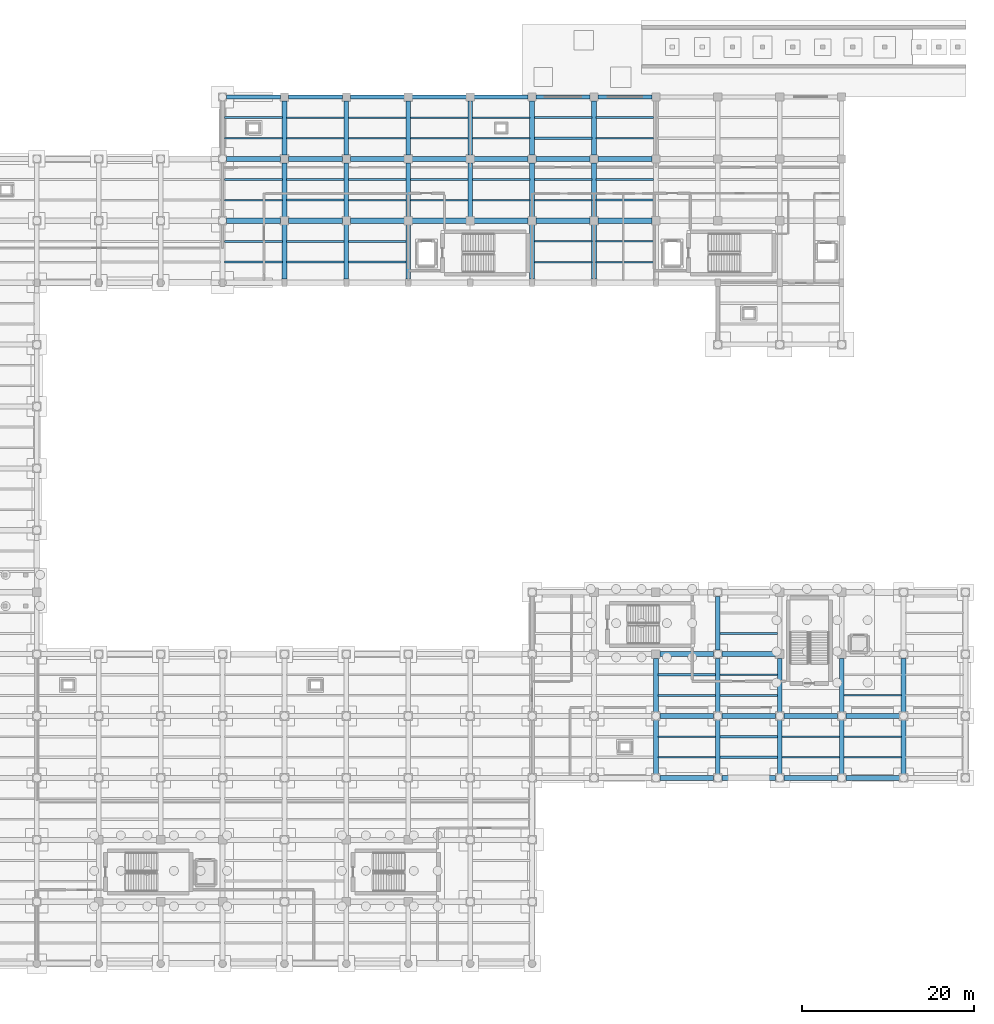
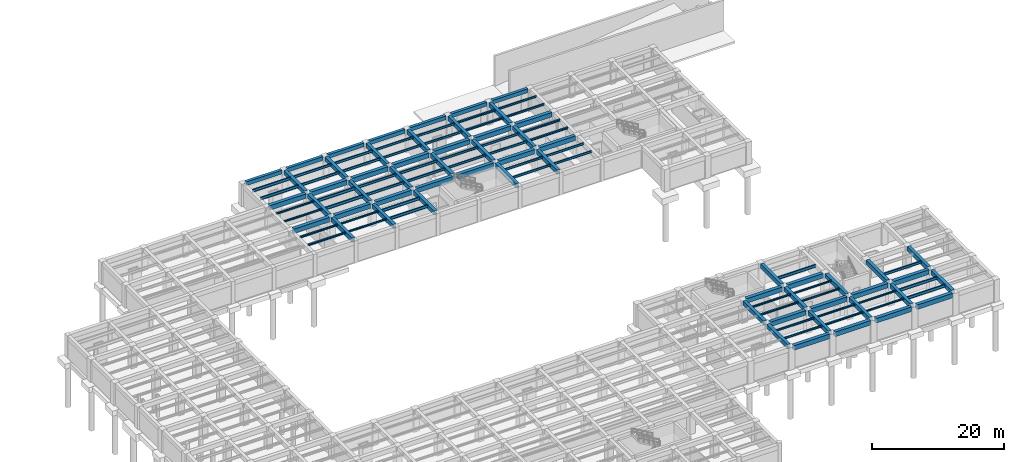
# One storey, part 13 of 34: 111 beams.
"""IFC4 building model written with IfcOpenShell, lengths in metres."""

from ifc_helpers import new_model, si_unit, direction, frame, origin, origin_2d, place, context, subcontext, project, spatial, rectangle, i_section, extrude, material, material_profile, profile_set, type_object, element, save


model = new_model("IFC4")

# Units and contexts
model_context = context("Model", 3, precision=1e-05, world=origin(), true_north=direction((0.0, 1.0)))
body_context = subcontext(model_context, "Body", "Model", "MODEL_VIEW")
ifc_project = project(units=[si_unit("LENGTHUNIT", "METRE"), si_unit("AREAUNIT", "SQUARE_METRE"), si_unit("VOLUMEUNIT", "CUBIC_METRE"), si_unit("PLANEANGLEUNIT", "RADIAN"), si_unit("MASSUNIT", "GRAM", prefix="KILO")], contexts=[model_context])

# Site, building, storey
site_placement = place(None, origin())
site = spatial("IfcSite", under=ifc_project, at=site_placement, CompositionType="ELEMENT")
building_placement = place(site_placement, origin())
building = spatial("IfcBuilding", under=site, at=building_placement, Name="Solenvale Faculty of Natural Sciences", CompositionType="ELEMENT")
storey_placement = place(building_placement, frame((0.0, 0.0, -4.5)))
storey = spatial("IfcBuildingStorey", under=building, at=storey_placement, Name="B01", CompositionType="ELEMENT", Elevation=-4.5)

# Beams
ifc_material_1 = material(Name="Concrete 40 MPa", Category="concrete")
ifc_material_profile_1 = material_profile(ifc_material_1, rectangle(XDim=0.550048828125, YDim=0.800048828125, at=origin_2d()), Name="RC-BM-550x800")
ifc_profile_set_1 = profile_set([ifc_material_profile_1], Name="Concrete 40 MPa")
beam_type_1 = type_object("IfcBeamType", Name="BM-RC-550x800", PredefinedType="BEAM", material=ifc_profile_set_1)
beam_1_placement = place(storey_placement, frame((86.39990234375, 94.030029296875, 3.75), z_axis=(0.0, 1.0, 0.0), x_axis=(-1.0, 0.0, 0.0)))
element("IfcBeam", 1, at=beam_1_placement, inside=storey, type_object=beam_type_1, Name="B01 Y-Girder X86.4 (93.6..100.8)", PredefinedType="BEAM", context=body_context, shape_type="SweptSolid", body=[
    extrude(rectangle(XDim=0.550048828125, YDim=0.800048828125, at=origin_2d()), origin(), (0.0, 0.0, 1.0), 6.31494140625),
])
for number, where, z_axis, x_axis, name in (
    (2, (86.39990234375, 101.2548828125, 3.75), (0.0, 1.0, 0.0), (-1.0, 0.0, 0.0), "B01 Y-Girder X86.4 (100.8..108.0)"),
    (3, (86.39990234375, 108.455078125, 3.75), (0.0, 1.0, 0.0), (-1.0, 0.0, 0.0), "B01 Y-Girder X86.4 (108.0..115.2)"),
):
    element("IfcBeam", number, at=place(storey_placement, frame(where, z_axis=z_axis, x_axis=x_axis)), inside=storey, type_object=beam_type_1, Name=name, PredefinedType="BEAM", context=body_context, shape_type="SweptSolid", body=[
        extrude(rectangle(XDim=0.550048828125, YDim=0.800048828125, at=origin_2d()), origin(), (0.0, 0.0, 1.0), 6.2900390625),
    ])
beam_2_placement = place(storey_placement, frame((93.60009765625, 94.030029296875, 3.75), z_axis=(0.0, 1.0, 0.0), x_axis=(-1.0, 0.0, 0.0)))
element("IfcBeam", 4, at=beam_2_placement, inside=storey, type_object=beam_type_1, Name="B01 Y-Girder X93.6 (93.6..100.8)", PredefinedType="BEAM", context=body_context, shape_type="SweptSolid", body=[
    extrude(rectangle(XDim=0.550048828125, YDim=0.800048828125, at=origin_2d()), origin(), (0.0, 0.0, 1.0), 6.31494140625),
])
for number, where, z_axis, x_axis, name in (
    (5, (93.60009765625, 101.2548828125, 3.75), (0.0, 1.0, 0.0), (-1.0, 0.0, 0.0), "B01 Y-Girder X93.6 (100.8..108.0)"),
    (6, (93.60009765625, 108.455078125, 3.75), (0.0, 1.0, 0.0), (-1.0, 0.0, 0.0), "B01 Y-Girder X93.6 (108.0..115.2)"),
):
    element("IfcBeam", number, at=place(storey_placement, frame(where, z_axis=z_axis, x_axis=x_axis)), inside=storey, type_object=beam_type_1, Name=name, PredefinedType="BEAM", context=body_context, shape_type="SweptSolid", body=[
        extrude(rectangle(XDim=0.550048828125, YDim=0.800048828125, at=origin_2d()), origin(), (0.0, 0.0, 1.0), 6.2900390625),
    ])
beam_3_placement = place(storey_placement, frame((100.800048828125, 94.030029296875, 3.75), z_axis=(0.0, 1.0, 0.0), x_axis=(-1.0, 0.0, 0.0)))
element("IfcBeam", 7, at=beam_3_placement, inside=storey, type_object=beam_type_1, Name="B01 Y-Girder X100.8 (93.6..100.8)", PredefinedType="BEAM", context=body_context, shape_type="SweptSolid", body=[
    extrude(rectangle(XDim=0.550048828125, YDim=0.800048828125, at=origin_2d()), origin(), (0.0, 0.0, 1.0), 6.31494140625),
])
for number, where, z_axis, x_axis, name in (
    (8, (100.800048828125, 101.2548828125, 3.75), (0.0, 1.0, 0.0), (-1.0, 0.0, 0.0), "B01 Y-Girder X100.8 (100.8..108.0)"),
    (9, (100.800048828125, 108.455078125, 3.75), (0.0, 1.0, 0.0), (-1.0, 0.0, 0.0), "B01 Y-Girder X100.8 (108.0..115.2)"),
    (10, (108.0, 101.2548828125, 3.75), (0.0, 1.0, 0.0), (-1.0, 0.0, 0.0), "B01 Y-Girder X108.0 (100.8..108.0)"),
    (11, (108.0, 108.455078125, 3.75), (0.0, 1.0, 0.0), (-1.0, 0.0, 0.0), "B01 Y-Girder X108.0 (108.0..115.2)"),
):
    element("IfcBeam", number, at=place(storey_placement, frame(where, z_axis=z_axis, x_axis=x_axis)), inside=storey, type_object=beam_type_1, Name=name, PredefinedType="BEAM", context=body_context, shape_type="SweptSolid", body=[
        extrude(rectangle(XDim=0.550048828125, YDim=0.800048828125, at=origin_2d()), origin(), (0.0, 0.0, 1.0), 6.2900390625),
    ])
beam_4_placement = place(storey_placement, frame((115.199951171875, 94.030029296875, 3.75), z_axis=(0.0, 1.0, 0.0), x_axis=(-1.0, 0.0, 0.0)))
element("IfcBeam", 12, at=beam_4_placement, inside=storey, type_object=beam_type_1, Name="B01 Y-Girder X115.2 (93.6..100.8)", PredefinedType="BEAM", context=body_context, shape_type="SweptSolid", body=[
    extrude(rectangle(XDim=0.550048828125, YDim=0.800048828125, at=origin_2d()), origin(), (0.0, 0.0, 1.0), 6.31494140625),
])
for number, where, z_axis, x_axis, name in (
    (13, (115.199951171875, 101.2548828125, 3.75), (0.0, 1.0, 0.0), (-1.0, 0.0, 0.0), "B01 Y-Girder X115.2 (100.8..108.0)"),
    (14, (115.199951171875, 108.455078125, 3.75), (0.0, 1.0, 0.0), (-1.0, 0.0, 0.0), "B01 Y-Girder X115.2 (108.0..115.2)"),
):
    element("IfcBeam", number, at=place(storey_placement, frame(where, z_axis=z_axis, x_axis=x_axis)), inside=storey, type_object=beam_type_1, Name=name, PredefinedType="BEAM", context=body_context, shape_type="SweptSolid", body=[
        extrude(rectangle(XDim=0.550048828125, YDim=0.800048828125, at=origin_2d()), origin(), (0.0, 0.0, 1.0), 6.2900390625),
    ])
beam_5_placement = place(storey_placement, frame((122.39990234375, 94.030029296875, 3.75), z_axis=(0.0, 1.0, 0.0), x_axis=(-1.0, 0.0, 0.0)))
element("IfcBeam", 15, at=beam_5_placement, inside=storey, type_object=beam_type_1, Name="B01 Y-Girder X122.4 (93.6..100.8)", PredefinedType="BEAM", context=body_context, shape_type="SweptSolid", body=[
    extrude(rectangle(XDim=0.550048828125, YDim=0.800048828125, at=origin_2d()), origin(), (0.0, 0.0, 1.0), 6.31494140625),
])
for number, where, z_axis, x_axis, name in (
    (16, (122.39990234375, 101.2548828125, 3.75), (0.0, 1.0, 0.0), (-1.0, 0.0, 0.0), "B01 Y-Girder X122.4 (100.8..108.0)"),
    (17, (122.39990234375, 108.455078125, 3.75), (0.0, 1.0, 0.0), (-1.0, 0.0, 0.0), "B01 Y-Girder X122.4 (108.0..115.2)"),
):
    element("IfcBeam", number, at=place(storey_placement, frame(where, z_axis=z_axis, x_axis=x_axis)), inside=storey, type_object=beam_type_1, Name=name, PredefinedType="BEAM", context=body_context, shape_type="SweptSolid", body=[
        extrude(rectangle(XDim=0.550048828125, YDim=0.800048828125, at=origin_2d()), origin(), (0.0, 0.0, 1.0), 6.2900390625),
    ])
for number, where, z_axis, x_axis, name in (
    (18, (129.60009765625, 36.47998046875, 3.75), (0.0, 1.0, 0.0), (-1.0, 0.0, 0.0), "B01 Y-Girder X129.6 (36.0..43.2)"),
    (19, (129.60009765625, 43.679931640625, 3.75), (0.0, 1.0, 0.0), (-1.0, 0.0, 0.0), "B01 Y-Girder X129.6 (43.2..50.4)"),
    (20, (136.800048828125, 36.47998046875, 3.75), (0.0, 1.0, 0.0), (-1.0, 0.0, 0.0), "B01 Y-Girder X136.8 (36.0..43.2)"),
    (21, (136.800048828125, 43.679931640625, 3.75), (0.0, 1.0, 0.0), (-1.0, 0.0, 0.0), "B01 Y-Girder X136.8 (43.2..50.4)"),
):
    element("IfcBeam", number, at=place(storey_placement, frame(where, z_axis=z_axis, x_axis=x_axis)), inside=storey, type_object=beam_type_1, Name=name, PredefinedType="BEAM", context=body_context, shape_type="SweptSolid", body=[
        extrude(rectangle(XDim=0.550048828125, YDim=0.800048828125, at=origin_2d()), origin(), (0.0, 0.0, 1.0), 6.239990234375),
    ])
beam_6_placement = place(storey_placement, frame((136.800048828125, 50.8798828125, 3.75), z_axis=(0.0, 1.0, 0.0), x_axis=(-1.0, 0.0, 0.0)))
element("IfcBeam", 22, at=beam_6_placement, inside=storey, type_object=beam_type_1, Name="B01 Y-Girder X136.8 (50.4..57.6)", PredefinedType="BEAM", context=body_context, shape_type="SweptSolid", body=[
    extrude(rectangle(XDim=0.550048828125, YDim=0.800048828125, at=origin_2d()), origin(), (0.0, 0.0, 1.0), 6.240234375),
])
for number, where, z_axis, x_axis, name in (
    (23, (144.0, 36.47998046875, 3.75), (0.0, 1.0, 0.0), (-1.0, 0.0, 0.0), "B01 Y-Girder X144.0 (36.0..43.2)"),
    (24, (144.0, 43.679931640625, 3.75), (0.0, 1.0, 0.0), (-1.0, 0.0, 0.0), "B01 Y-Girder X144.0 (43.2..50.4)"),
    (25, (151.199951171875, 36.47998046875, 3.75), (0.0, 1.0, 0.0), (-1.0, 0.0, 0.0), "B01 Y-Girder X151.2 (36.0..43.2)"),
    (26, (151.199951171875, 43.679931640625, 3.75), (0.0, 1.0, 0.0), (-1.0, 0.0, 0.0), "B01 Y-Girder X151.2 (43.2..50.4)"),
    (27, (158.39990234375, 36.47998046875, 3.75), (0.0, 1.0, 0.0), (-1.0, 0.0, 0.0), "B01 Y-Girder X158.4 (36.0..43.2)"),
    (28, (158.39990234375, 43.679931640625, 3.75), (0.0, 1.0, 0.0), (-1.0, 0.0, 0.0), "B01 Y-Girder X158.4 (43.2..50.4)"),
):
    element("IfcBeam", number, at=place(storey_placement, frame(where, z_axis=z_axis, x_axis=x_axis)), inside=storey, type_object=beam_type_1, Name=name, PredefinedType="BEAM", context=body_context, shape_type="SweptSolid", body=[
        extrude(rectangle(XDim=0.550048828125, YDim=0.800048828125, at=origin_2d()), origin(), (0.0, 0.0, 1.0), 6.239990234375),
    ])
ifc_material_profile_2 = material_profile(ifc_material_1, rectangle(XDim=0.60009765625, YDim=0.85009765625, at=origin_2d()), Name="RC-BM-600x850")
ifc_profile_set_2 = profile_set([ifc_material_profile_2], Name="Concrete 40 MPa")
beam_type_2 = type_object("IfcBeamType", Name="BM-RC-600x850", PredefinedType="BEAM", material=ifc_profile_set_2)
for number, where, z_axis, x_axis, name in (
    (29, (130.080078125, 36.0, 3.72509765625), (1.0, 0.0, 0.0), (0.0, 1.0, 0.0), "B01 X-Girder Y36.0 (129.6..136.8)"),
    (30, (137.280029296875, 36.0, 3.72509765625), (1.0, 0.0, 0.0), (0.0, 1.0, 0.0), "B01 X-Girder Y36.0 (136.8..144.0)"),
    (31, (144.47998046875, 36.0, 3.72509765625), (1.0, 0.0, 0.0), (0.0, 1.0, 0.0), "B01 X-Girder Y36.0 (144.0..151.2)"),
    (32, (151.679931640625, 36.0, 3.72509765625), (1.0, 0.0, 0.0), (0.0, 1.0, 0.0), "B01 X-Girder Y36.0 (151.2..158.4)"),
    (33, (130.080078125, 43.199951171875, 3.72509765625), (1.0, 0.0, 0.0), (0.0, 1.0, 0.0), "B01 X-Girder Y43.2 (129.6..136.8)"),
    (34, (137.280029296875, 43.199951171875, 3.72509765625), (1.0, 0.0, 0.0), (0.0, 1.0, 0.0), "B01 X-Girder Y43.2 (136.8..144.0)"),
    (35, (144.47998046875, 43.199951171875, 3.72509765625), (1.0, 0.0, 0.0), (0.0, 1.0, 0.0), "B01 X-Girder Y43.2 (144.0..151.2)"),
    (36, (151.679931640625, 43.199951171875, 3.72509765625), (1.0, 0.0, 0.0), (0.0, 1.0, 0.0), "B01 X-Girder Y43.2 (151.2..158.4)"),
    (37, (130.080078125, 50.39990234375, 3.72509765625), (1.0, 0.0, 0.0), (0.0, 1.0, 0.0), "B01 X-Girder Y50.4 (129.6..136.8)"),
    (38, (137.280029296875, 50.39990234375, 3.72509765625), (1.0, 0.0, 0.0), (0.0, 1.0, 0.0), "B01 X-Girder Y50.4 (136.8..144.0)"),
):
    element("IfcBeam", number, at=place(storey_placement, frame(where, z_axis=z_axis, x_axis=x_axis)), inside=storey, type_object=beam_type_2, Name=name, PredefinedType="BEAM", context=body_context, shape_type="SweptSolid", body=[
        extrude(rectangle(XDim=0.60009765625, YDim=0.85009765625, at=origin_2d()), origin(), (0.0, 0.0, 1.0), 6.239990234375),
    ])
for number, where, z_axis, x_axis, name in (
    (39, (79.655029296875, 100.800048828125, 3.72509765625), (1.0, 0.0, 0.0), (0.0, 1.0, 0.0), "B01 X-Girder Y100.8 (79.2..86.4)"),
    (40, (86.85498046875, 100.800048828125, 3.72509765625), (1.0, 0.0, 0.0), (0.0, 1.0, 0.0), "B01 X-Girder Y100.8 (86.4..93.6)"),
    (41, (94.054931640625, 100.800048828125, 3.72509765625), (1.0, 0.0, 0.0), (0.0, 1.0, 0.0), "B01 X-Girder Y100.8 (93.6..100.8)"),
    (42, (101.2548828125, 100.800048828125, 3.72509765625), (1.0, 0.0, 0.0), (0.0, 1.0, 0.0), "B01 X-Girder Y100.8 (100.8..108.0)"),
    (43, (108.455078125, 100.800048828125, 3.72509765625), (1.0, 0.0, 0.0), (0.0, 1.0, 0.0), "B01 X-Girder Y100.8 (108.0..115.2)"),
    (44, (115.655029296875, 100.800048828125, 3.72509765625), (1.0, 0.0, 0.0), (0.0, 1.0, 0.0), "B01 X-Girder Y100.8 (115.2..122.4)"),
    (45, (122.85498046875, 100.800048828125, 3.72509765625), (1.0, 0.0, 0.0), (0.0, 1.0, 0.0), "B01 X-Girder Y100.8 (122.4..129.6)"),
    (46, (79.655029296875, 108.0, 3.72509765625), (1.0, 0.0, 0.0), (0.0, 1.0, 0.0), "B01 X-Girder Y108.0 (79.2..86.4)"),
    (47, (86.85498046875, 108.0, 3.72509765625), (1.0, 0.0, 0.0), (0.0, 1.0, 0.0), "B01 X-Girder Y108.0 (86.4..93.6)"),
    (48, (94.054931640625, 108.0, 3.72509765625), (1.0, 0.0, 0.0), (0.0, 1.0, 0.0), "B01 X-Girder Y108.0 (93.6..100.8)"),
    (49, (101.2548828125, 108.0, 3.72509765625), (1.0, 0.0, 0.0), (0.0, 1.0, 0.0), "B01 X-Girder Y108.0 (100.8..108.0)"),
    (50, (108.455078125, 108.0, 3.72509765625), (1.0, 0.0, 0.0), (0.0, 1.0, 0.0), "B01 X-Girder Y108.0 (108.0..115.2)"),
    (51, (115.655029296875, 108.0, 3.72509765625), (1.0, 0.0, 0.0), (0.0, 1.0, 0.0), "B01 X-Girder Y108.0 (115.2..122.4)"),
    (52, (122.85498046875, 108.0, 3.72509765625), (1.0, 0.0, 0.0), (0.0, 1.0, 0.0), "B01 X-Girder Y108.0 (122.4..129.6)"),
):
    element("IfcBeam", number, at=place(storey_placement, frame(where, z_axis=z_axis, x_axis=x_axis)), inside=storey, type_object=beam_type_2, Name=name, PredefinedType="BEAM", context=body_context, shape_type="SweptSolid", body=[
        extrude(rectangle(XDim=0.60009765625, YDim=0.85009765625, at=origin_2d()), origin(), (0.0, 0.0, 1.0), 6.2900390625),
    ])
ifc_material_2 = material(Name="Precast concrete 40 MPa", Category="concrete")
ifc_material_profile_3 = material_profile(ifc_material_2, rectangle(XDim=0.5, YDim=0.699951171875, at=origin_2d()), Name="RC-BM-500x700")
ifc_profile_set_3 = profile_set([ifc_material_profile_3], Name="Precast concrete 40 MPa")
beam_type_3 = type_object("IfcBeamType", Name="BM-SPN-PRC-700", PredefinedType="SPANDREL", material=ifc_profile_set_3)
for number, where, z_axis, x_axis, name in (
    (53, (79.655029296875, 115.199951171875, 3.800048828125), (1.0, 0.0, 0.0), (0.0, 1.0, 0.0), "B01 X-Girder Y115.2 (79.2..86.4)"),
    (54, (86.85498046875, 115.199951171875, 3.800048828125), (1.0, 0.0, 0.0), (0.0, 1.0, 0.0), "B01 X-Girder Y115.2 (86.4..93.6)"),
    (55, (94.054931640625, 115.199951171875, 3.800048828125), (1.0, 0.0, 0.0), (0.0, 1.0, 0.0), "B01 X-Girder Y115.2 (93.6..100.8)"),
    (56, (101.2548828125, 115.199951171875, 3.800048828125), (1.0, 0.0, 0.0), (0.0, 1.0, 0.0), "B01 X-Girder Y115.2 (100.8..108.0)"),
    (57, (108.455078125, 115.199951171875, 3.800048828125), (1.0, 0.0, 0.0), (0.0, 1.0, 0.0), "B01 X-Girder Y115.2 (108.0..115.2)"),
    (58, (115.655029296875, 115.199951171875, 3.800048828125), (1.0, 0.0, 0.0), (0.0, 1.0, 0.0), "B01 X-Girder Y115.2 (115.2..122.4)"),
    (59, (122.85498046875, 115.199951171875, 3.800048828125), (1.0, 0.0, 0.0), (0.0, 1.0, 0.0), "B01 X-Girder Y115.2 (122.4..129.6)"),
):
    element("IfcBeam", number, at=place(storey_placement, frame(where, z_axis=z_axis, x_axis=x_axis)), inside=storey, type_object=beam_type_3, Name=name, PredefinedType="SPANDREL", context=body_context, shape_type="SweptSolid", body=[
        extrude(rectangle(XDim=0.5, YDim=0.699951171875, at=origin_2d()), origin(), (0.0, 0.0, 1.0), 6.2900390625),
    ])
ifc_material_3 = material(Name="Steel S355", Category="steel")
ifc_material_profile_4 = material_profile(ifc_material_3, i_section(OverallWidth=0.202880859375, OverallDepth=0.302978515625, WebThickness=0.007568359375, FlangeThickness=0.01318359375, FilletRadius=0.014892578125, at=origin_2d()), Name="W310x60")
ifc_profile_set_4 = profile_set([ifc_material_profile_4], Name="Steel S355")
beam_type_4 = type_object("IfcBeamType", Name="BM-STL-W310x60", PredefinedType="JOIST", material=ifc_profile_set_4)
for number, where, z_axis, x_axis, name in (
    (60, (79.455078125, 103.199951171875, 3.99853515625), (1.0, 0.0, 0.0), (0.0, 1.0, 0.0), "B01 Composite Floor Joist (12,15).1"),
    (61, (79.455078125, 105.60009765625, 3.99853515625), (1.0, 0.0, 0.0), (0.0, 1.0, 0.0), "B01 Composite Floor Joist (12,15).2"),
    (62, (86.655029296875, 96.0, 3.99853515625), (1.0, 0.0, 0.0), (0.0, 1.0, 0.0), "B01 Composite Floor Joist (13,14).1"),
    (63, (86.655029296875, 98.39990234375, 3.99853515625), (1.0, 0.0, 0.0), (0.0, 1.0, 0.0), "B01 Composite Floor Joist (13,14).2"),
):
    element("IfcBeam", number, at=place(storey_placement, frame(where, z_axis=z_axis, x_axis=x_axis)), inside=storey, type_object=beam_type_4, Name=name, PredefinedType="JOIST", context=body_context, shape_type="SweptSolid", body=[
        extrude(i_section(OverallWidth=0.202880859375, OverallDepth=0.302978515625, WebThickness=0.007568359375, FlangeThickness=0.01318359375, FilletRadius=0.014892578125, at=origin_2d()), origin(), (0.0, 0.0, 1.0), 6.68994140625),
    ])
for number, where, z_axis, x_axis, name in (
    (64, (137.054931640625, 45.60009765625, 3.99853515625), (1.0, 0.0, 0.0), (0.0, 1.0, 0.0), "B01 Composite Floor Joist (20,7).1"),
    (65, (137.054931640625, 48.0, 3.99853515625), (1.0, 0.0, 0.0), (0.0, 1.0, 0.0), "B01 Composite Floor Joist (20,7).2"),
    (66, (144.2548828125, 38.39990234375, 3.99853515625), (1.0, 0.0, 0.0), (0.0, 1.0, 0.0), "B01 Composite Floor Joist (21,6).1"),
    (67, (144.2548828125, 40.800048828125, 3.99853515625), (1.0, 0.0, 0.0), (0.0, 1.0, 0.0), "B01 Composite Floor Joist (21,6).2"),
):
    element("IfcBeam", number, at=place(storey_placement, frame(where, z_axis=z_axis, x_axis=x_axis)), inside=storey, type_object=beam_type_4, Name=name, PredefinedType="JOIST", context=body_context, shape_type="SweptSolid", body=[
        extrude(i_section(OverallWidth=0.202880859375, OverallDepth=0.302978515625, WebThickness=0.007568359375, FlangeThickness=0.01318359375, FilletRadius=0.014892578125, at=origin_2d()), origin(), (0.0, 0.0, 1.0), 6.690185546875),
    ])
ifc_material_profile_5 = material_profile(ifc_material_3, i_section(OverallWidth=0.25390625, OverallDepth=0.305908203125, WebThickness=0.0087890625, FlangeThickness=0.0146484375, FilletRadius=0.014892578125, at=origin_2d()), Name="W310x79")
ifc_profile_set_5 = profile_set([ifc_material_profile_5], Name="Steel S355")
beam_type_5 = type_object("IfcBeamType", Name="BM-STL-W310x79", PredefinedType="JOIST", material=ifc_profile_set_5)
for number, where, z_axis, x_axis, name in (
    (68, (79.455078125, 96.0, 3.9970703125), (1.0, 0.0, 0.0), (0.0, 1.0, 0.0), "B01 Composite Floor Joist (12,14).1"),
    (69, (79.455078125, 98.39990234375, 3.9970703125), (1.0, 0.0, 0.0), (0.0, 1.0, 0.0), "B01 Composite Floor Joist (12,14).2"),
    (70, (129.85498046875, 45.60009765625, 3.9970703125), (1.0, 0.0, 0.0), (0.0, 1.0, 0.0), "B01 Composite Floor Joist (19,7).1"),
    (71, (129.85498046875, 48.0, 3.9970703125), (1.0, 0.0, 0.0), (0.0, 1.0, 0.0), "B01 Composite Floor Joist (19,7).2"),
):
    element("IfcBeam", number, at=place(storey_placement, frame(where, z_axis=z_axis, x_axis=x_axis)), inside=storey, type_object=beam_type_5, Name=name, PredefinedType="JOIST", context=body_context, shape_type="SweptSolid", body=[
        extrude(i_section(OverallWidth=0.25390625, OverallDepth=0.305908203125, WebThickness=0.0087890625, FlangeThickness=0.0146484375, FilletRadius=0.014892578125, at=origin_2d()), origin(), (0.0, 0.0, 1.0), 6.68994140625),
    ])
for number, where, z_axis, x_axis, name in (
    (72, (137.054931640625, 38.39990234375, 3.9970703125), (1.0, 0.0, 0.0), (0.0, 1.0, 0.0), "B01 Composite Floor Joist (20,6).1"),
    (73, (137.054931640625, 40.800048828125, 3.9970703125), (1.0, 0.0, 0.0), (0.0, 1.0, 0.0), "B01 Composite Floor Joist (20,6).2"),
):
    element("IfcBeam", number, at=place(storey_placement, frame(where, z_axis=z_axis, x_axis=x_axis)), inside=storey, type_object=beam_type_5, Name=name, PredefinedType="JOIST", context=body_context, shape_type="SweptSolid", body=[
        extrude(i_section(OverallWidth=0.25390625, OverallDepth=0.305908203125, WebThickness=0.0087890625, FlangeThickness=0.0146484375, FilletRadius=0.014892578125, at=origin_2d()), origin(), (0.0, 0.0, 1.0), 6.690185546875),
    ])
ifc_material_profile_6 = material_profile(ifc_material_3, i_section(OverallWidth=0.2548828125, OverallDepth=0.35693359375, WebThickness=0.010498046875, FlangeThickness=0.018310546875, FilletRadius=0.014892578125, at=origin_2d()), Name="W360x101")
ifc_profile_set_6 = profile_set([ifc_material_profile_6], Name="Steel S355")
beam_type_6 = type_object("IfcBeamType", Name="BM-STL-W360x101", PredefinedType="JOIST", material=ifc_profile_set_6)
for number, where, z_axis, x_axis, name in (
    (74, (115.455078125, 110.39990234375, 3.971435546875), (1.0, 0.0, 0.0), (0.0, 1.0, 0.0), "B01 Composite Floor Joist (17,16).1"),
    (75, (115.455078125, 112.800048828125, 3.971435546875), (1.0, 0.0, 0.0), (0.0, 1.0, 0.0), "B01 Composite Floor Joist (17,16).2"),
    (76, (122.655029296875, 103.199951171875, 3.971435546875), (1.0, 0.0, 0.0), (0.0, 1.0, 0.0), "B01 Composite Floor Joist (18,15).1"),
    (77, (122.655029296875, 105.60009765625, 3.971435546875), (1.0, 0.0, 0.0), (0.0, 1.0, 0.0), "B01 Composite Floor Joist (18,15).2"),
):
    element("IfcBeam", number, at=place(storey_placement, frame(where, z_axis=z_axis, x_axis=x_axis)), inside=storey, type_object=beam_type_6, Name=name, PredefinedType="JOIST", context=body_context, shape_type="SweptSolid", body=[
        extrude(i_section(OverallWidth=0.2548828125, OverallDepth=0.35693359375, WebThickness=0.010498046875, FlangeThickness=0.018310546875, FilletRadius=0.014892578125, at=origin_2d()), origin(), (0.0, 0.0, 1.0), 6.68994140625),
    ])
ifc_material_profile_7 = material_profile(ifc_material_3, i_section(OverallWidth=0.2041015625, OverallDepth=0.35009765625, WebThickness=0.008544921875, FlangeThickness=0.01513671875, FilletRadius=0.014892578125, at=origin_2d()), Name="W360x72")
ifc_profile_set_7 = profile_set([ifc_material_profile_7], Name="Steel S355")
beam_type_7 = type_object("IfcBeamType", Name="BM-STL-W360x72", PredefinedType="JOIST", material=ifc_profile_set_7)
for number, where, z_axis, x_axis, name in (
    (78, (122.655029296875, 110.39990234375, 3.97509765625), (1.0, 0.0, 0.0), (0.0, 1.0, 0.0), "B01 Composite Floor Joist (18,16).1"),
    (79, (122.655029296875, 112.800048828125, 3.97509765625), (1.0, 0.0, 0.0), (0.0, 1.0, 0.0), "B01 Composite Floor Joist (18,16).2"),
    (80, (129.85498046875, 38.39990234375, 3.97509765625), (1.0, 0.0, 0.0), (0.0, 1.0, 0.0), "B01 Composite Floor Joist (19,6).1"),
    (81, (129.85498046875, 40.800048828125, 3.97509765625), (1.0, 0.0, 0.0), (0.0, 1.0, 0.0), "B01 Composite Floor Joist (19,6).2"),
):
    element("IfcBeam", number, at=place(storey_placement, frame(where, z_axis=z_axis, x_axis=x_axis)), inside=storey, type_object=beam_type_7, Name=name, PredefinedType="JOIST", context=body_context, shape_type="SweptSolid", body=[
        extrude(i_section(OverallWidth=0.2041015625, OverallDepth=0.35009765625, WebThickness=0.008544921875, FlangeThickness=0.01513671875, FilletRadius=0.014892578125, at=origin_2d()), origin(), (0.0, 0.0, 1.0), 6.68994140625),
    ])
ifc_material_profile_8 = material_profile(ifc_material_3, i_section(OverallWidth=0.178955078125, OverallDepth=0.409912109375, WebThickness=0.0087890625, FlangeThickness=0.014404296875, FilletRadius=0.01611328125, at=origin_2d()), Name="W410x67")
ifc_profile_set_8 = profile_set([ifc_material_profile_8], Name="Steel S355")
beam_type_8 = type_object("IfcBeamType", Name="BM-STL-W410x67", PredefinedType="JOIST", material=ifc_profile_set_8)
for number, where, z_axis, x_axis, name in (
    (82, (108.2548828125, 110.39990234375, 3.945068359375), (1.0, 0.0, 0.0), (0.0, 1.0, 0.0), "B01 Composite Floor Joist (16,16).1"),
    (83, (108.2548828125, 112.800048828125, 3.945068359375), (1.0, 0.0, 0.0), (0.0, 1.0, 0.0), "B01 Composite Floor Joist (16,16).2"),
):
    element("IfcBeam", number, at=place(storey_placement, frame(where, z_axis=z_axis, x_axis=x_axis)), inside=storey, type_object=beam_type_8, Name=name, PredefinedType="JOIST", context=body_context, shape_type="SweptSolid", body=[
        extrude(i_section(OverallWidth=0.178955078125, OverallDepth=0.409912109375, WebThickness=0.0087890625, FlangeThickness=0.014404296875, FilletRadius=0.01611328125, at=origin_2d()), origin(), (0.0, 0.0, 1.0), 6.690185546875),
    ])
for number, where, z_axis, x_axis, name in (
    (84, (115.455078125, 103.199951171875, 3.945068359375), (1.0, 0.0, 0.0), (0.0, 1.0, 0.0), "B01 Composite Floor Joist (17,15).1"),
    (85, (115.455078125, 105.60009765625, 3.945068359375), (1.0, 0.0, 0.0), (0.0, 1.0, 0.0), "B01 Composite Floor Joist (17,15).2"),
    (86, (122.655029296875, 96.0, 3.945068359375), (1.0, 0.0, 0.0), (0.0, 1.0, 0.0), "B01 Composite Floor Joist (18,14).1"),
    (87, (122.655029296875, 98.39990234375, 3.945068359375), (1.0, 0.0, 0.0), (0.0, 1.0, 0.0), "B01 Composite Floor Joist (18,14).2"),
):
    element("IfcBeam", number, at=place(storey_placement, frame(where, z_axis=z_axis, x_axis=x_axis)), inside=storey, type_object=beam_type_8, Name=name, PredefinedType="JOIST", context=body_context, shape_type="SweptSolid", body=[
        extrude(i_section(OverallWidth=0.178955078125, OverallDepth=0.409912109375, WebThickness=0.0087890625, FlangeThickness=0.014404296875, FilletRadius=0.01611328125, at=origin_2d()), origin(), (0.0, 0.0, 1.0), 6.68994140625),
    ])
ifc_material_profile_9 = material_profile(ifc_material_3, i_section(OverallWidth=0.180908203125, OverallDepth=0.4169921875, WebThickness=0.010986328125, FlangeThickness=0.018310546875, FilletRadius=0.01611328125, at=origin_2d()), Name="W410x85")
ifc_profile_set_9 = profile_set([ifc_material_profile_9], Name="Steel S355")
beam_type_9 = type_object("IfcBeamType", Name="BM-STL-W410x85", PredefinedType="JOIST", material=ifc_profile_set_9)
for number, where, z_axis, x_axis, name in (
    (88, (101.054931640625, 110.39990234375, 3.94140625), (1.0, 0.0, 0.0), (0.0, 1.0, 0.0), "B01 Composite Floor Joist (15,16).1"),
    (89, (101.054931640625, 112.800048828125, 3.94140625), (1.0, 0.0, 0.0), (0.0, 1.0, 0.0), "B01 Composite Floor Joist (15,16).2"),
    (90, (108.2548828125, 103.199951171875, 3.94140625), (1.0, 0.0, 0.0), (0.0, 1.0, 0.0), "B01 Composite Floor Joist (16,15).1"),
    (91, (108.2548828125, 105.60009765625, 3.94140625), (1.0, 0.0, 0.0), (0.0, 1.0, 0.0), "B01 Composite Floor Joist (16,15).2"),
):
    element("IfcBeam", number, at=place(storey_placement, frame(where, z_axis=z_axis, x_axis=x_axis)), inside=storey, type_object=beam_type_9, Name=name, PredefinedType="JOIST", context=body_context, shape_type="SweptSolid", body=[
        extrude(i_section(OverallWidth=0.180908203125, OverallDepth=0.4169921875, WebThickness=0.010986328125, FlangeThickness=0.018310546875, FilletRadius=0.01611328125, at=origin_2d()), origin(), (0.0, 0.0, 1.0), 6.690185546875),
    ])
for number, where, z_axis, x_axis, name in (
    (92, (115.455078125, 96.0, 3.94140625), (1.0, 0.0, 0.0), (0.0, 1.0, 0.0), "B01 Composite Floor Joist (17,14).1"),
    (93, (115.455078125, 98.39990234375, 3.94140625), (1.0, 0.0, 0.0), (0.0, 1.0, 0.0), "B01 Composite Floor Joist (17,14).2"),
):
    element("IfcBeam", number, at=place(storey_placement, frame(where, z_axis=z_axis, x_axis=x_axis)), inside=storey, type_object=beam_type_9, Name=name, PredefinedType="JOIST", context=body_context, shape_type="SweptSolid", body=[
        extrude(i_section(OverallWidth=0.180908203125, OverallDepth=0.4169921875, WebThickness=0.010986328125, FlangeThickness=0.018310546875, FilletRadius=0.01611328125, at=origin_2d()), origin(), (0.0, 0.0, 1.0), 6.68994140625),
    ])
ifc_material_profile_10 = material_profile(ifc_material_3, i_section(OverallWidth=0.194091796875, OverallDepth=0.468994140625, WebThickness=0.0126953125, FlangeThickness=0.0205078125, FilletRadius=0.01806640625, at=origin_2d()), Name="W460x106")
ifc_profile_set_10 = profile_set([ifc_material_profile_10], Name="Steel S355")
beam_type_10 = type_object("IfcBeamType", Name="BM-STL-W460x106", PredefinedType="JOIST", material=ifc_profile_set_10)
for number, where, z_axis, x_axis, name in (
    (94, (86.655029296875, 110.39990234375, 3.91552734375), (1.0, 0.0, 0.0), (0.0, 1.0, 0.0), "B01 Composite Floor Joist (13,16).1"),
    (95, (86.655029296875, 112.800048828125, 3.91552734375), (1.0, 0.0, 0.0), (0.0, 1.0, 0.0), "B01 Composite Floor Joist (13,16).2"),
    (96, (93.85498046875, 103.199951171875, 3.91552734375), (1.0, 0.0, 0.0), (0.0, 1.0, 0.0), "B01 Composite Floor Joist (14,15).1"),
    (97, (93.85498046875, 105.60009765625, 3.91552734375), (1.0, 0.0, 0.0), (0.0, 1.0, 0.0), "B01 Composite Floor Joist (14,15).2"),
    (98, (151.455078125, 45.60009765625, 3.91552734375), (1.0, 0.0, 0.0), (0.0, 1.0, 0.0), "B01 Composite Floor Joist (22,7).1"),
):
    element("IfcBeam", number, at=place(storey_placement, frame(where, z_axis=z_axis, x_axis=x_axis)), inside=storey, type_object=beam_type_10, Name=name, PredefinedType="JOIST", context=body_context, shape_type="SweptSolid", body=[
        extrude(i_section(OverallWidth=0.194091796875, OverallDepth=0.468994140625, WebThickness=0.0126953125, FlangeThickness=0.0205078125, FilletRadius=0.01806640625, at=origin_2d()), origin(), (0.0, 0.0, 1.0), 6.68994140625),
    ])
ifc_material_profile_11 = material_profile(ifc_material_3, i_section(OverallWidth=0.19091796875, OverallDepth=0.4599609375, WebThickness=0.010009765625, FlangeThickness=0.01611328125, FilletRadius=0.01806640625, at=origin_2d()), Name="W460x82")
ifc_profile_set_11 = profile_set([ifc_material_profile_11], Name="Steel S355")
beam_type_11 = type_object("IfcBeamType", Name="BM-STL-W460x82", PredefinedType="JOIST", material=ifc_profile_set_11)
for number, where, z_axis, x_axis, name in (
    (99, (93.85498046875, 110.39990234375, 3.919921875), (1.0, 0.0, 0.0), (0.0, 1.0, 0.0), "B01 Composite Floor Joist (14,16).1"),
    (100, (93.85498046875, 112.800048828125, 3.919921875), (1.0, 0.0, 0.0), (0.0, 1.0, 0.0), "B01 Composite Floor Joist (14,16).2"),
):
    element("IfcBeam", number, at=place(storey_placement, frame(where, z_axis=z_axis, x_axis=x_axis)), inside=storey, type_object=beam_type_11, Name=name, PredefinedType="JOIST", context=body_context, shape_type="SweptSolid", body=[
        extrude(i_section(OverallWidth=0.19091796875, OverallDepth=0.4599609375, WebThickness=0.010009765625, FlangeThickness=0.01611328125, FilletRadius=0.01806640625, at=origin_2d()), origin(), (0.0, 0.0, 1.0), 6.68994140625),
    ])
for number, where, z_axis, x_axis, name in (
    (101, (101.054931640625, 103.199951171875, 3.919921875), (1.0, 0.0, 0.0), (0.0, 1.0, 0.0), "B01 Composite Floor Joist (15,15).1"),
    (102, (101.054931640625, 105.60009765625, 3.919921875), (1.0, 0.0, 0.0), (0.0, 1.0, 0.0), "B01 Composite Floor Joist (15,15).2"),
):
    element("IfcBeam", number, at=place(storey_placement, frame(where, z_axis=z_axis, x_axis=x_axis)), inside=storey, type_object=beam_type_11, Name=name, PredefinedType="JOIST", context=body_context, shape_type="SweptSolid", body=[
        extrude(i_section(OverallWidth=0.19091796875, OverallDepth=0.4599609375, WebThickness=0.010009765625, FlangeThickness=0.01611328125, FilletRadius=0.01806640625, at=origin_2d()), origin(), (0.0, 0.0, 1.0), 6.690185546875),
    ])
ifc_material_profile_12 = material_profile(ifc_material_3, i_section(OverallWidth=0.208984375, OverallDepth=0.532958984375, WebThickness=0.01025390625, FlangeThickness=0.015625, FilletRadius=0.01904296875, at=origin_2d()), Name="W530x92")
ifc_profile_set_12 = profile_set([ifc_material_profile_12], Name="Steel S355")
beam_type_12 = type_object("IfcBeamType", Name="BM-STL-W530x92", PredefinedType="JOIST", material=ifc_profile_set_12)
for number, where, z_axis, x_axis, name in (
    (103, (79.455078125, 110.39990234375, 3.883544921875), (1.0, 0.0, 0.0), (0.0, 1.0, 0.0), "B01 Composite Floor Joist (12,16).1"),
    (104, (79.455078125, 112.800048828125, 3.883544921875), (1.0, 0.0, 0.0), (0.0, 1.0, 0.0), "B01 Composite Floor Joist (12,16).2"),
    (105, (86.655029296875, 103.199951171875, 3.883544921875), (1.0, 0.0, 0.0), (0.0, 1.0, 0.0), "B01 Composite Floor Joist (13,15).1"),
    (106, (86.655029296875, 105.60009765625, 3.883544921875), (1.0, 0.0, 0.0), (0.0, 1.0, 0.0), "B01 Composite Floor Joist (13,15).2"),
    (107, (93.85498046875, 96.0, 3.883544921875), (1.0, 0.0, 0.0), (0.0, 1.0, 0.0), "B01 Composite Floor Joist (14,14).1"),
    (108, (93.85498046875, 98.39990234375, 3.883544921875), (1.0, 0.0, 0.0), (0.0, 1.0, 0.0), "B01 Composite Floor Joist (14,14).2"),
):
    element("IfcBeam", number, at=place(storey_placement, frame(where, z_axis=z_axis, x_axis=x_axis)), inside=storey, type_object=beam_type_12, Name=name, PredefinedType="JOIST", context=body_context, shape_type="SweptSolid", body=[
        extrude(i_section(OverallWidth=0.208984375, OverallDepth=0.532958984375, WebThickness=0.01025390625, FlangeThickness=0.015625, FilletRadius=0.01904296875, at=origin_2d()), origin(), (0.0, 0.0, 1.0), 6.68994140625),
    ])
beam_7_placement = place(storey_placement, frame((137.054931640625, 52.800048828125, 3.883544921875), z_axis=(1.0, 0.0, 0.0), x_axis=(0.0, 1.0, 0.0)))
element("IfcBeam", 109, at=beam_7_placement, inside=storey, type_object=beam_type_12, Name="B01 Composite Floor Joist (20,8).1", PredefinedType="JOIST", context=body_context, shape_type="SweptSolid", body=[
    extrude(i_section(OverallWidth=0.208984375, OverallDepth=0.532958984375, WebThickness=0.01025390625, FlangeThickness=0.015625, FilletRadius=0.01904296875, at=origin_2d()), origin(), (0.0, 0.0, 1.0), 6.690185546875),
])
for number, where, z_axis, x_axis, name in (
    (110, (151.455078125, 38.39990234375, 3.883544921875), (1.0, 0.0, 0.0), (0.0, 1.0, 0.0), "B01 Composite Floor Joist (22,6).1"),
    (111, (151.455078125, 40.800048828125, 3.883544921875), (1.0, 0.0, 0.0), (0.0, 1.0, 0.0), "B01 Composite Floor Joist (22,6).2"),
):
    element("IfcBeam", number, at=place(storey_placement, frame(where, z_axis=z_axis, x_axis=x_axis)), inside=storey, type_object=beam_type_12, Name=name, PredefinedType="JOIST", context=body_context, shape_type="SweptSolid", body=[
        extrude(i_section(OverallWidth=0.208984375, OverallDepth=0.532958984375, WebThickness=0.01025390625, FlangeThickness=0.015625, FilletRadius=0.01904296875, at=origin_2d()), origin(), (0.0, 0.0, 1.0), 6.68994140625),
    ])

save(model, "model.ifc")
